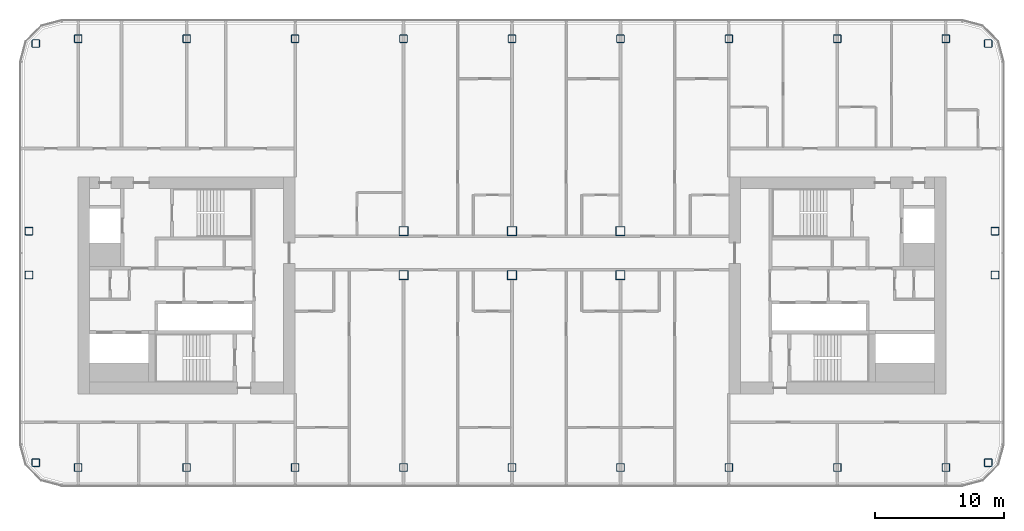
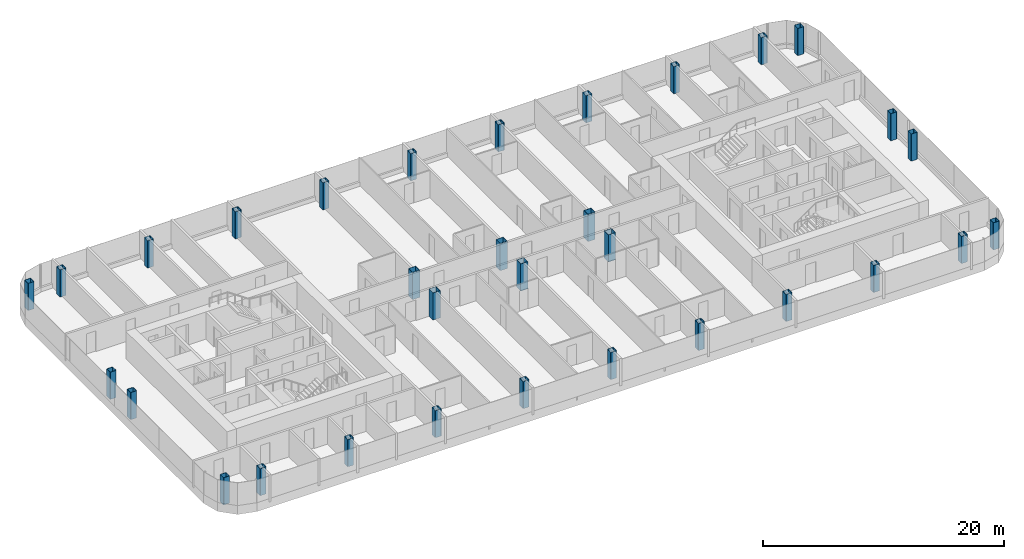
# One storey, part 1 of 26: 32 columns.
"""IFC4 building model written with IfcOpenShell, lengths in metres."""

from ifc_helpers import new_model, si_unit, direction, frame, origin, origin_2d, place, context, subcontext, project, spatial, hollow_rectangle, extrude, material, material_profile, profile_set, type_object, element, save


model = new_model("IFC4")

# Units and contexts
model_context = context("Model", 3, precision=1e-05, world=origin(), true_north=direction((0.0, 1.0)))
body_context = subcontext(model_context, "Body", "Model", "MODEL_VIEW")
ifc_project = project(units=[si_unit("LENGTHUNIT", "METRE"), si_unit("AREAUNIT", "SQUARE_METRE"), si_unit("VOLUMEUNIT", "CUBIC_METRE"), si_unit("PLANEANGLEUNIT", "RADIAN"), si_unit("MASSUNIT", "GRAM", prefix="KILO")], contexts=[model_context])

# Site, building, storey
site_placement = place(None, origin())
site = spatial("IfcSite", under=ifc_project, at=site_placement, CompositionType="ELEMENT")
building_placement = place(site_placement, origin())
building = spatial("IfcBuilding", under=site, at=building_placement, Name="Hakoniwa Tower and Hamabe Station Hall", CompositionType="ELEMENT")
storey_placement = place(building_placement, frame((0.0, 0.0, 215.39990234375)))
storey = spatial("IfcBuildingStorey", under=building, at=storey_placement, Name="L61", CompositionType="ELEMENT", Elevation=215.39990234375)

# Columns
ifc_material_1 = material(Name="Steel BCP325", Category="steel")
ifc_material_profile_1 = material_profile(ifc_material_1, hollow_rectangle(XDim=0.60009765625, YDim=0.60009765625, WallThickness=0.02490234375, InnerFilletRadius=0.03759765625, OuterFilletRadius=0.0625, at=origin_2d()), Name="BCP-600x600x25")
ifc_profile_set_1 = profile_set([ifc_material_profile_1], Name="Steel BCP325")
column_type_1 = type_object("IfcColumnType", Name="COLUMN BCP-600x600x25", PredefinedType="COLUMN", material=ifc_profile_set_1)
for number, where, z_axis, x_axis, name in (
    (1, (-36.877685546875, -13.728515625, 0.0), (0.0, 0.0, 1.0), (1.0, 0.0, 0.0), "Column B4-EW-A4"),
    (2, (-37.39990234375, 0.800048828125, 0.0), (0.0, 0.0, 1.0), (1.0, 0.0, 0.0), "Column B4-EW-C4"),
    (3, (-37.39990234375, 4.199951171875, 0.0), (0.0, 0.0, 1.0), (1.0, 0.0, 0.0), "Column B4-EW-D4"),
    (4, (-36.877685546875, 18.728515625, 0.0), (0.0, 0.0, 1.0), (1.0, 0.0, 0.0), "Column B4-EW-F4"),
    (5, (-33.60009765625, -14.10009765625, 0.0), (0.0, 0.0, 1.0), (1.0, 0.0, 0.0), "Column B4-3-A4"),
    (6, (-33.60009765625, 19.10009765625, 0.0), (0.0, 0.0, 1.0), (1.0, 0.0, 0.0), "Column B4-3-F4"),
    (7, (-25.199951171875, -14.10009765625, 0.0), (0.0, 0.0, 1.0), (1.0, 0.0, 0.0), "Column B4-4-A4"),
    (8, (-25.199951171875, 19.10009765625, 0.0), (0.0, 0.0, 1.0), (1.0, 0.0, 0.0), "Column B4-4-F4"),
    (9, (-16.800048828125, -14.10009765625, 0.0), (0.0, 0.0, 1.0), (1.0, 0.0, 0.0), "Column B4-5-A4"),
    (10, (-16.800048828125, 19.10009765625, 0.0), (0.0, 0.0, 1.0), (1.0, 0.0, 0.0), "Column B4-5-F4"),
    (11, (-8.39990234375, -14.10009765625, 0.0), (0.0, 0.0, 1.0), (1.0, 0.0, 0.0), "Column B4-6-A4"),
    (12, (-8.39990234375, 19.10009765625, 0.0), (0.0, 0.0, 1.0), (1.0, 0.0, 0.0), "Column B4-6-F4"),
    (13, (0.0, -14.10009765625, 0.0), (0.0, 0.0, 1.0), (1.0, 0.0, 0.0), "Column B4-7-A4"),
    (14, (0.0, 19.10009765625, 0.0), (0.0, 0.0, 1.0), (1.0, 0.0, 0.0), "Column B4-7-F4"),
    (15, (8.39990234375, -14.10009765625, 0.0), (0.0, 0.0, 1.0), (1.0, 0.0, 0.0), "Column B4-8-A4"),
    (16, (8.39990234375, 19.10009765625, 0.0), (0.0, 0.0, 1.0), (1.0, 0.0, 0.0), "Column B4-8-F4"),
    (17, (16.800048828125, -14.10009765625, 0.0), (0.0, 0.0, 1.0), (1.0, 0.0, 0.0), "Column B4-9-A4"),
    (18, (16.800048828125, 19.10009765625, 0.0), (0.0, 0.0, 1.0), (1.0, 0.0, 0.0), "Column B4-9-F4"),
    (19, (25.199951171875, -14.10009765625, 0.0), (0.0, 0.0, 1.0), (1.0, 0.0, 0.0), "Column B4-10-A4"),
    (20, (25.199951171875, 19.10009765625, 0.0), (0.0, 0.0, 1.0), (1.0, 0.0, 0.0), "Column B4-10-F4"),
    (21, (33.60009765625, -14.10009765625, 0.0), (0.0, 0.0, 1.0), (1.0, 0.0, 0.0), "Column B4-11-A4"),
    (22, (33.60009765625, 19.10009765625, 0.0), (0.0, 0.0, 1.0), (1.0, 0.0, 0.0), "Column B4-11-F4"),
    (23, (36.877685546875, -13.728515625, 0.0), (0.0, 0.0, 1.0), (1.0, 0.0, 0.0), "Column B4-EE-A4"),
    (24, (37.39990234375, 0.800048828125, 0.0), (0.0, 0.0, 1.0), (1.0, 0.0, 0.0), "Column B4-EE-C4"),
    (25, (37.39990234375, 4.199951171875, 0.0), (0.0, 0.0, 1.0), (1.0, 0.0, 0.0), "Column B4-EE-D4"),
    (26, (36.877685546875, 18.728515625, 0.0), (0.0, 0.0, 1.0), (1.0, 0.0, 0.0), "Column B4-EE-F4"),
):
    element("IfcColumn", number, at=place(storey_placement, frame(where, z_axis=z_axis, x_axis=x_axis)), inside=storey, type_object=column_type_1, Name=name, PredefinedType="COLUMN", context=body_context, shape_type="SweptSolid", body=[
        extrude(hollow_rectangle(XDim=0.60009765625, YDim=0.60009765625, WallThickness=0.02490234375, InnerFilletRadius=0.03759765625, OuterFilletRadius=0.0625, at=origin_2d()), origin(), (0.0, 0.0, 1.0), 2.75),
    ])
ifc_material_2 = material(Name="Steel SN490C", Category="steel")
ifc_material_profile_2 = material_profile(ifc_material_2, hollow_rectangle(XDim=0.699951171875, YDim=0.699951171875, WallThickness=0.028076171875, at=origin_2d()), Name="BX-700x700x28")
ifc_profile_set_2 = profile_set([ifc_material_profile_2], Name="Steel SN490C")
column_type_2 = type_object("IfcColumnType", Name="COLUMN BX-700x700x28", PredefinedType="COLUMN", material=ifc_profile_set_2)
for number, where, z_axis, x_axis, name in (
    (27, (-8.39990234375, 0.800048828125, 0.0), (0.0, 0.0, 1.0), (1.0, 0.0, 0.0), "Column B4-6-C4"),
    (28, (-8.39990234375, 4.199951171875, 0.0), (0.0, 0.0, 1.0), (1.0, 0.0, 0.0), "Column B4-6-D4"),
    (29, (0.0, 0.800048828125, 0.0), (0.0, 0.0, 1.0), (1.0, 0.0, 0.0), "Column B4-7-C4"),
    (30, (0.0, 4.199951171875, 0.0), (0.0, 0.0, 1.0), (1.0, 0.0, 0.0), "Column B4-7-D4"),
    (31, (8.39990234375, 0.800048828125, 0.0), (0.0, 0.0, 1.0), (1.0, 0.0, 0.0), "Column B4-8-C4"),
    (32, (8.39990234375, 4.199951171875, 0.0), (0.0, 0.0, 1.0), (1.0, 0.0, 0.0), "Column B4-8-D4"),
):
    element("IfcColumn", number, at=place(storey_placement, frame(where, z_axis=z_axis, x_axis=x_axis)), inside=storey, type_object=column_type_2, Name=name, PredefinedType="COLUMN", context=body_context, shape_type="SweptSolid", body=[
        extrude(hollow_rectangle(XDim=0.699951171875, YDim=0.699951171875, WallThickness=0.028076171875, at=origin_2d()), origin(), (0.0, 0.0, 1.0), 2.75),
    ])

save(model, "model.ifc")
